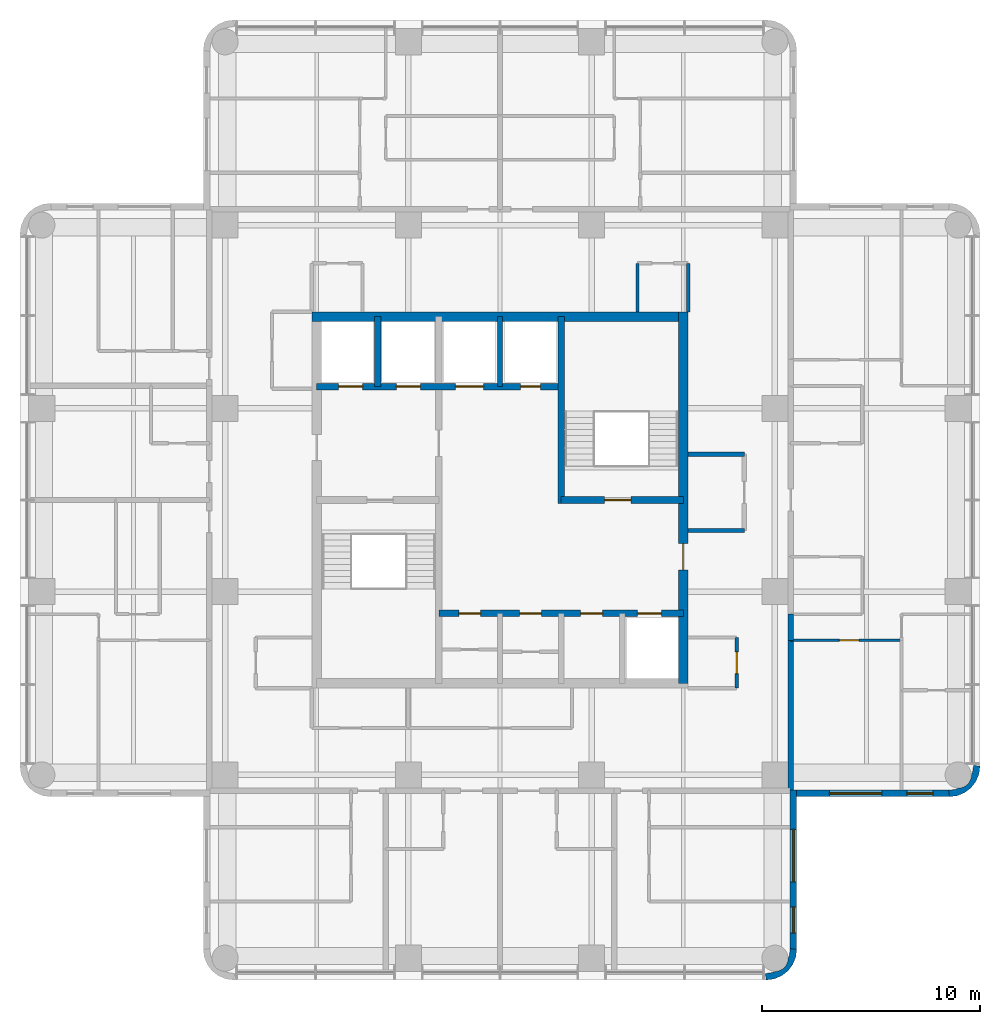
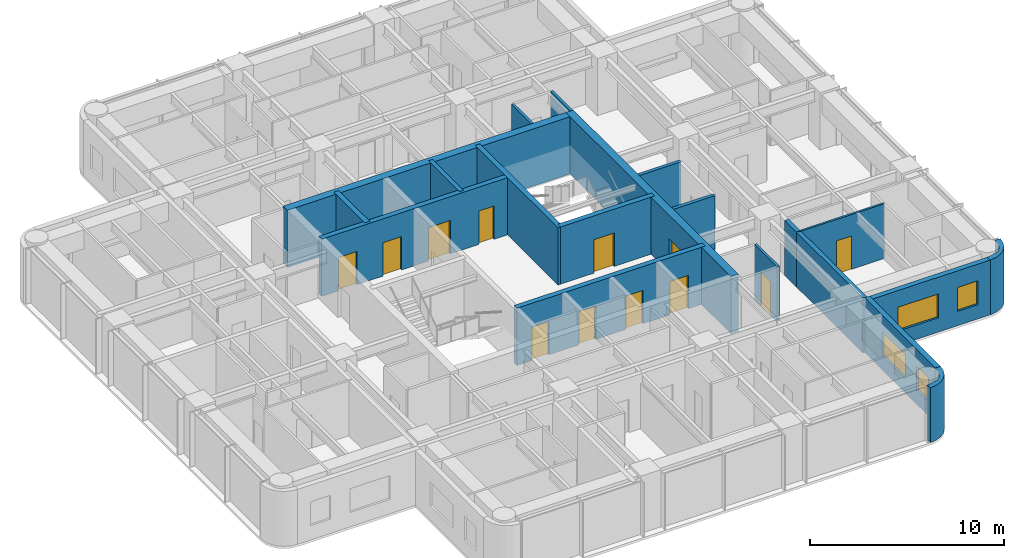
# One storey, part 6 of 10: 20 walls, 12 doors, 4 windows, 16 openings.
"""IFC4 building model written with IfcOpenShell, lengths in metres."""

from ifc_helpers import new_model, si_unit, direction, frame, frame_2d, origin, place, context, subcontext, project, spatial, polyline, rectangle, outline, extrude, material, layer, layer_set, type_object, element, fill, save


model = new_model("IFC4")

# Units and contexts
model_context = context("Model", 3, precision=1e-05, world=origin(), true_north=direction((0.0, 1.0)))
body_context = subcontext(model_context, "Body", "Model", "MODEL_VIEW")
ifc_project = project(units=[si_unit("LENGTHUNIT", "METRE"), si_unit("AREAUNIT", "SQUARE_METRE"), si_unit("VOLUMEUNIT", "CUBIC_METRE"), si_unit("PLANEANGLEUNIT", "RADIAN"), si_unit("MASSUNIT", "GRAM", prefix="KILO")], contexts=[model_context])

# Site, building, storey
site_placement = place(None, origin())
site = spatial("IfcSite", under=ifc_project, at=site_placement, CompositionType="ELEMENT")
building_placement = place(site_placement, origin())
building = spatial("IfcBuilding", under=site, at=building_placement, Name="Torre Alcanfor", CompositionType="ELEMENT")
storey_placement = place(building_placement, frame((0.0, 0.0, 282.89990234375)))
storey = spatial("IfcBuildingStorey", under=building, at=storey_placement, Name="L74", CompositionType="ELEMENT", Elevation=282.89990234375)

# Walls
ifc_material_1 = material(Name="Concrete block masonry, hollow blocks NMX-C-404 9 MPa", Category="masonry")
ifc_layer_1 = layer(ifc_material_1, 0.25)
ifc_layer_set_1 = layer_set([ifc_layer_1], Name="Apartment entrance wall 250 EI 60")
wall_type_1 = type_object("IfcWallType", Name="Apartment entrance wall 250 EI 60", PredefinedType="PARTITIONING", material=ifc_layer_set_1)
wall_1_placement = place(storey_placement, frame((42.72509765625, 24.1708984375, 0.0), z_axis=(0.0, 0.0, 1.0), x_axis=(0.0, -1.0, 0.0)))
element("IfcWall", 1, at=wall_1_placement, inside=storey, type_object=wall_type_1, Name="Partition L74-CORR / L74-EX-LIVING", PredefinedType="PARTITIONING", context=body_context, shape_type="SweptSolid", body=[
    extrude(rectangle(XDim=1.199951171875, YDim=0.25, at=frame_2d((0.60009765625, 0.0))), origin(), (0.0, 0.0, 1.0), 3.4501953125),
])
wall_2_placement = place(storey_placement, frame((42.72509765625, 22.970947265625, 0.0), z_axis=(0.0, 0.0, 1.0), x_axis=(0.0, -1.0, 0.0)))
element("IfcWall", 2, at=wall_2_placement, inside=storey, type_object=wall_type_1, Name="Partition L74-CORR / L74-EX-BED3", PredefinedType="PARTITIONING", context=body_context, shape_type="SweptSolid", body=[
    extrude(rectangle(XDim=6.870849609375, YDim=0.25, at=frame_2d((3.435546875, 0.0))), origin(), (0.0, 0.0, 1.0), 3.4501953125),
])

# Wall, opening, door
ifc_material_2 = material(Name="Gypsum board on steel studs", Category="steel")
ifc_layer_2 = layer(ifc_material_2, 0.1201171875)
ifc_layer_set_2 = layer_set([ifc_layer_2], Name="Apartment partition 120")
wall_type_2 = type_object("IfcWallType", Name="Apartment partition 120", PredefinedType="PARTITIONING", material=ifc_layer_set_2)
wall_3_placement = place(storey_placement, frame((47.800048828125, 22.970947265625, 0.0), z_axis=(0.0, 0.0, 1.0), x_axis=(-1.0, 0.0, 0.0)))
wall_3 = element("IfcWall", 3, at=wall_3_placement, inside=storey, type_object=wall_type_2, Name="Partition L74-EX-LIVING / L74-EX-BED3", PredefinedType="PARTITIONING", context=body_context, shape_type="SweptSolid", body=[
    extrude(rectangle(XDim=5.074951171875, YDim=0.1201171875, at=frame_2d((2.53759765625, 0.0))), origin(), (0.0, 0.0, 1.0), 3.4501953125),
])
opening_1_placement = place(wall_3_placement, frame((1.949951171875, 0.0, 0.0)))
opening_1 = element("IfcOpeningElement", 4, at=opening_1_placement, cuts=wall_3, Name="Opening D-R1", PredefinedType="OPENING", context=body_context, shape_type="SweptSolid", body=[
    extrude(rectangle(XDim=0.89990234375, YDim=2.10009765625, at=frame_2d((0.449951171875, 1.050048828125))), frame((0.0, 0.070068359375, 0.0), z_axis=(0.0, -1.0, 0.0), x_axis=(1.0, 0.0, 0.0)), (0.0, 0.0, 1.0), 0.14013671875),
])
ifc_material_3 = material(Name="Timber", Category="wood")
door_type_1 = type_object("IfcDoorType", Name="Internal door 900x2100", OperationType="SINGLE_SWING_LEFT", PredefinedType="DOOR", material=ifc_material_3)
door_1_placement = place(opening_1_placement, origin())
door_1 = element("IfcDoor", 5, at=door_1_placement, inside=storey, type_object=door_type_1, Name="Door L74-EX bed3", OperationType="SINGLE_SWING_LEFT", OverallHeight=2.10009765625, OverallWidth=0.89990234375, PredefinedType="DOOR", context=body_context, shape_type="SweptSolid", body=[
    extrude(rectangle(XDim=0.89990234375, YDim=2.10009765625, at=frame_2d((0.449951171875, 1.050048828125))), frame((0.0, 0.02490234375, 0.0), z_axis=(0.0, -1.0, 0.0), x_axis=(1.0, 0.0, 0.0)), (0.0, 0.0, 1.0), 0.050048828125),
])
fill(opening_1, door_1)

# Wall, openings, doors
ifc_material_4 = material(Name="Concrete f'c 70 MPa", Category="concrete")
ifc_layer_3 = layer(ifc_material_4, 0.300048828125)
ifc_layer_set_3 = layer_set([ifc_layer_3], Name="Core inner wall 300 f'c70")
wall_type_3 = type_object("IfcWallType", Name="Core inner wall 300 f'c70", PredefinedType="SHEAR", material=ifc_layer_set_3)
wall_4_placement = place(storey_placement, frame((21.0, 34.60009765625, 0.0), z_axis=(0.0, 0.0, 1.0), x_axis=(1.0, 0.0, 0.0)))
wall_4 = element("IfcWall", 6, at=wall_4_placement, inside=storey, type_object=wall_type_3, Name="Core wall Y346 L74", PredefinedType="SHEAR", context=body_context, shape_type="SweptSolid", body=[
    extrude(rectangle(XDim=11.199951171875, YDim=0.300048828125, at=frame_2d((5.60009765625, 0.0))), origin(), (0.0, 0.0, 1.0), 3.60009765625),
])
opening_2_placement = place(wall_4_placement, frame((9.35009765625, 0.0, 0.0)))
opening_2 = element("IfcOpeningElement", 7, at=opening_2_placement, cuts=wall_4, Name="Opening D-Q1", PredefinedType="OPENING", context=body_context, shape_type="SweptSolid", body=[
    extrude(rectangle(XDim=0.89990234375, YDim=2.10009765625, at=frame_2d((0.449951171875, 1.050048828125))), frame((0.0, 0.159912109375, 0.0), z_axis=(0.0, -1.0, 0.0), x_axis=(1.0, 0.0, 0.0)), (0.0, 0.0, 1.0), 0.320068359375),
])
opening_3_placement = place(wall_4_placement, frame((1.0, 0.0, 0.0)))
opening_3 = element("IfcOpeningElement", 8, at=opening_3_placement, cuts=wall_4, Name="Opening LD2", PredefinedType="OPENING", context=body_context, shape_type="SweptSolid", body=[
    extrude(rectangle(XDim=1.10009765625, YDim=2.10009765625, at=frame_2d((0.550048828125, 1.050048828125))), frame((0.0, 0.159912109375, 0.0), z_axis=(0.0, -1.0, 0.0), x_axis=(1.0, 0.0, 0.0)), (0.0, 0.0, 1.0), 0.320068359375),
])
opening_4_placement = place(wall_4_placement, frame((3.64990234375, 0.0, 0.0)))
opening_4 = element("IfcOpeningElement", 9, at=opening_4_placement, cuts=wall_4, Name="Opening LD2", PredefinedType="OPENING", context=body_context, shape_type="SweptSolid", body=[
    extrude(rectangle(XDim=1.10009765625, YDim=2.10009765625, at=frame_2d((0.550048828125, 1.050048828125))), frame((0.0, 0.159912109375, 0.0), z_axis=(0.0, -1.0, 0.0), x_axis=(1.0, 0.0, 0.0)), (0.0, 0.0, 1.0), 0.320068359375),
])
opening_5_placement = place(wall_4_placement, frame((6.35009765625, 0.0, 0.0)))
opening_5 = element("IfcOpeningElement", 10, at=opening_5_placement, cuts=wall_4, Name="Opening LD3", PredefinedType="OPENING", context=body_context, shape_type="SweptSolid", body=[
    extrude(rectangle(XDim=1.300048828125, YDim=2.10009765625, at=frame_2d((0.64990234375, 1.050048828125))), frame((0.0, 0.159912109375, 0.0), z_axis=(0.0, -1.0, 0.0), x_axis=(1.0, 0.0, 0.0)), (0.0, 0.0, 1.0), 0.320068359375),
])
ifc_material_5 = material(Name="Galvanised steel sheet ASTM A653", Category="steel")
door_type_2 = type_object("IfcDoorType", Name="Firefighting lift landing door 1100x2100", OperationType="DOUBLE_DOOR_SLIDING", PredefinedType="DOOR", material=ifc_material_5)
door_2_placement = place(opening_3_placement, origin())
door_2 = element("IfcDoor", 11, at=door_2_placement, inside=storey, type_object=door_type_2, Name="Lift landing door FL1 L74", OperationType="DOUBLE_DOOR_SLIDING", OverallHeight=2.10009765625, OverallWidth=1.10009765625, PredefinedType="DOOR", context=body_context, shape_type="SweptSolid", body=[
    extrude(rectangle(XDim=1.10009765625, YDim=2.10009765625, at=frame_2d((0.550048828125, 1.050048828125))), frame((0.0, 0.02490234375, 0.0), z_axis=(0.0, -1.0, 0.0), x_axis=(1.0, 0.0, 0.0)), (0.0, 0.0, 1.0), 0.050048828125),
])
fill(opening_3, door_2)
door_3_placement = place(opening_4_placement, origin())
door_3 = element("IfcDoor", 12, at=door_3_placement, inside=storey, type_object=door_type_2, Name="Lift landing door FL2 L74", OperationType="DOUBLE_DOOR_SLIDING", OverallHeight=2.10009765625, OverallWidth=1.10009765625, PredefinedType="DOOR", context=body_context, shape_type="SweptSolid", body=[
    extrude(rectangle(XDim=1.10009765625, YDim=2.10009765625, at=frame_2d((0.550048828125, 1.050048828125))), frame((0.0, 0.02490234375, 0.0), z_axis=(0.0, -1.0, 0.0), x_axis=(1.0, 0.0, 0.0)), (0.0, 0.0, 1.0), 0.050048828125),
])
fill(opening_4, door_3)
ifc_material_6 = material(Name="Galvanised steel sheet ASTM A653", Category="steel")
door_type_3 = type_object("IfcDoorType", Name="Riser access door FD120 900x2100", OperationType="SINGLE_SWING_LEFT", PredefinedType="DOOR", material=ifc_material_6)
door_4_placement = place(opening_2_placement, origin())
door_4 = element("IfcDoor", 13, at=door_4_placement, inside=storey, type_object=door_type_3, Name="Riser door L74", OperationType="SINGLE_SWING_LEFT", OverallHeight=2.10009765625, OverallWidth=0.89990234375, PredefinedType="DOOR", context=body_context, shape_type="SweptSolid", body=[
    extrude(rectangle(XDim=0.89990234375, YDim=2.10009765625, at=frame_2d((0.449951171875, 1.050048828125))), frame((0.0, 0.02490234375, 0.0), z_axis=(0.0, -1.0, 0.0), x_axis=(1.0, 0.0, 0.0)), (0.0, 0.0, 1.0), 0.050048828125),
])
fill(opening_2, door_4)
ifc_material_7 = material(Name="Galvanised steel sheet ASTM A653", Category="steel")
door_type_4 = type_object("IfcDoorType", Name="Service lift landing door 1300x2100", OperationType="DOUBLE_DOOR_SLIDING", PredefinedType="DOOR", material=ifc_material_7)
door_5_placement = place(opening_5_placement, origin())
door_5 = element("IfcDoor", 14, at=door_5_placement, inside=storey, type_object=door_type_4, Name="Lift landing door SL1 L74", OperationType="DOUBLE_DOOR_SLIDING", OverallHeight=2.10009765625, OverallWidth=1.300048828125, PredefinedType="DOOR", context=body_context, shape_type="SweptSolid", body=[
    extrude(rectangle(XDim=1.300048828125, YDim=2.10009765625, at=frame_2d((0.64990234375, 1.050048828125))), frame((0.0, 0.02490234375, 0.0), z_axis=(0.0, -1.0, 0.0), x_axis=(1.0, 0.0, 0.0)), (0.0, 0.0, 1.0), 0.050048828125),
])
fill(opening_5, door_5)

# Wall
wall_5_placement = place(storey_placement, frame((23.800048828125, 34.60009765625, 0.0), z_axis=(0.0, 0.0, 1.0), x_axis=(0.0, 1.0, 0.0)))
element("IfcWall", 15, at=wall_5_placement, inside=storey, type_object=wall_type_3, Name="Core wall X238 L74", PredefinedType="SHEAR", context=body_context, shape_type="SweptSolid", body=[
    extrude(rectangle(XDim=3.199951171875, YDim=0.300048828125, at=frame_2d((1.60009765625, 0.0))), origin(), (0.0, 0.0, 1.0), 3.60009765625),
])

# Wall, openings, doors
wall_6_placement = place(storey_placement, frame((26.60009765625, 24.199951171875, 0.0), z_axis=(0.0, 0.0, 1.0), x_axis=(1.0, 0.0, 0.0)))
wall_6 = element("IfcWall", 16, at=wall_6_placement, inside=storey, type_object=wall_type_3, Name="Core wall Y242 L74", PredefinedType="SHEAR", context=body_context, shape_type="SweptSolid", body=[
    extrude(rectangle(XDim=11.199951171875, YDim=0.300048828125, at=frame_2d((5.60009765625, 0.0))), origin(), (0.0, 0.0, 1.0), 3.60009765625),
])
opening_6_placement = place(wall_6_placement, frame((0.91259765625, 0.0, 0.0)))
opening_6 = element("IfcOpeningElement", 17, at=opening_6_placement, cuts=wall_6, Name="Opening D-K1", PredefinedType="OPENING", context=body_context, shape_type="SweptSolid", body=[
    extrude(rectangle(XDim=1.0, YDim=2.10009765625, at=frame_2d((0.5, 1.050048828125))), frame((0.0, 0.159912109375, 0.0), z_axis=(0.0, -1.0, 0.0), x_axis=(1.0, 0.0, 0.0)), (0.0, 0.0, 1.0), 0.320068359375),
])
opening_7_placement = place(wall_6_placement, frame((3.699951171875, 0.0, 0.0)))
opening_7 = element("IfcOpeningElement", 18, at=opening_7_placement, cuts=wall_6, Name="Opening D-K1", PredefinedType="OPENING", context=body_context, shape_type="SweptSolid", body=[
    extrude(rectangle(XDim=1.0, YDim=2.10009765625, at=frame_2d((0.5, 1.050048828125))), frame((0.0, 0.159912109375, 0.0), z_axis=(0.0, -1.0, 0.0), x_axis=(1.0, 0.0, 0.0)), (0.0, 0.0, 1.0), 0.320068359375),
])
opening_8_placement = place(wall_6_placement, frame((6.5, 0.0, 0.0)))
opening_8 = element("IfcOpeningElement", 19, at=opening_8_placement, cuts=wall_6, Name="Opening D-K1", PredefinedType="OPENING", context=body_context, shape_type="SweptSolid", body=[
    extrude(rectangle(XDim=1.0, YDim=2.10009765625, at=frame_2d((0.5, 1.050048828125))), frame((0.0, 0.159912109375, 0.0), z_axis=(0.0, -1.0, 0.0), x_axis=(1.0, 0.0, 0.0)), (0.0, 0.0, 1.0), 0.320068359375),
])
opening_9_placement = place(wall_6_placement, frame((9.10009765625, 0.0, 0.0)))
opening_9 = element("IfcOpeningElement", 20, at=opening_9_placement, cuts=wall_6, Name="Opening LD1", PredefinedType="OPENING", context=body_context, shape_type="SweptSolid", body=[
    extrude(rectangle(XDim=1.10009765625, YDim=2.10009765625, at=frame_2d((0.550048828125, 1.050048828125))), frame((0.0, 0.159912109375, 0.0), z_axis=(0.0, -1.0, 0.0), x_axis=(1.0, 0.0, 0.0)), (0.0, 0.0, 1.0), 0.320068359375),
])
ifc_material_8 = material(Name="Galvanised steel sheet ASTM A653", Category="steel")
door_type_5 = type_object("IfcDoorType", Name="Core room door FD60 1000x2100", OperationType="SINGLE_SWING_LEFT", PredefinedType="DOOR", material=ifc_material_8)
door_6_placement = place(opening_6_placement, frame((1.0, 0.0, 0.0), z_axis=(0.0, 0.0, 1.0), x_axis=(-1.0, 0.0, 0.0)))
door_6 = element("IfcDoor", 21, at=door_6_placement, inside=storey, type_object=door_type_5, Name="Residents' storage door L74", OperationType="SINGLE_SWING_RIGHT", OverallHeight=2.10009765625, OverallWidth=1.0, PredefinedType="DOOR", context=body_context, shape_type="SweptSolid", body=[
    extrude(rectangle(XDim=1.0, YDim=2.10009765625, at=frame_2d((0.5, 1.050048828125))), frame((0.0, 0.025146484375, 0.0), z_axis=(0.0, -1.0, 0.0), x_axis=(1.0, 0.0, 0.0)), (0.0, 0.0, 1.0), 0.050048828125),
])
fill(opening_6, door_6)
door_7_placement = place(opening_7_placement, frame((1.0, 0.0, 0.0), z_axis=(0.0, 0.0, 1.0), x_axis=(-1.0, 0.0, 0.0)))
door_7 = element("IfcDoor", 22, at=door_7_placement, inside=storey, type_object=door_type_5, Name="Pantry door L74", OperationType="SINGLE_SWING_RIGHT", OverallHeight=2.10009765625, OverallWidth=1.0, PredefinedType="DOOR", context=body_context, shape_type="SweptSolid", body=[
    extrude(rectangle(XDim=1.0, YDim=2.10009765625, at=frame_2d((0.5, 1.050048828125))), frame((0.0, 0.025146484375, 0.0), z_axis=(0.0, -1.0, 0.0), x_axis=(1.0, 0.0, 0.0)), (0.0, 0.0, 1.0), 0.050048828125),
])
fill(opening_7, door_7)
door_8_placement = place(opening_8_placement, frame((1.0, 0.0, 0.0), z_axis=(0.0, 0.0, 1.0), x_axis=(-1.0, 0.0, 0.0)))
door_8 = element("IfcDoor", 23, at=door_8_placement, inside=storey, type_object=door_type_5, Name="Housekeeping store door L74", OperationType="SINGLE_SWING_RIGHT", OverallHeight=2.10009765625, OverallWidth=1.0, PredefinedType="DOOR", context=body_context, shape_type="SweptSolid", body=[
    extrude(rectangle(XDim=1.0, YDim=2.10009765625, at=frame_2d((0.5, 1.050048828125))), frame((0.0, 0.025146484375, 0.0), z_axis=(0.0, -1.0, 0.0), x_axis=(1.0, 0.0, 0.0)), (0.0, 0.0, 1.0), 0.050048828125),
])
fill(opening_8, door_8)
ifc_material_9 = material(Name="Galvanised steel sheet ASTM A653", Category="steel")
door_type_6 = type_object("IfcDoorType", Name="Lift landing door 1100x2100", OperationType="DOUBLE_DOOR_SLIDING", PredefinedType="DOOR", material=ifc_material_9)
door_9_placement = place(opening_9_placement, origin())
door_9 = element("IfcDoor", 24, at=door_9_placement, inside=storey, type_object=door_type_6, Name="Lift landing door PA4 L74", OperationType="DOUBLE_DOOR_SLIDING", OverallHeight=2.10009765625, OverallWidth=1.10009765625, PredefinedType="DOOR", context=body_context, shape_type="SweptSolid", body=[
    extrude(rectangle(XDim=1.10009765625, YDim=2.10009765625, at=frame_2d((0.550048828125, 1.050048828125))), frame((0.0, 0.02490234375, 0.0), z_axis=(0.0, -1.0, 0.0), x_axis=(1.0, 0.0, 0.0)), (0.0, 0.0, 1.0), 0.050048828125),
])
fill(opening_9, door_9)

# Wall
wall_7_placement = place(storey_placement, frame((32.199951171875, 29.25, 0.0), z_axis=(0.0, 0.0, 1.0), x_axis=(0.0, 1.0, 0.0)))
element("IfcWall", 25, at=wall_7_placement, inside=storey, type_object=wall_type_3, Name="Core wall X322N L74", PredefinedType="SHEAR", context=body_context, shape_type="SweptSolid", body=[
    extrude(rectangle(XDim=8.550048828125, YDim=0.300048828125, at=frame_2d((4.27490234375, 0.0))), origin(), (0.0, 0.0, 1.0), 3.60009765625),
])

# Wall, opening, door
wall_8_placement = place(storey_placement, frame((32.199951171875, 29.39990234375, 0.0), z_axis=(0.0, 0.0, 1.0), x_axis=(1.0, 0.0, 0.0)))
wall_8 = element("IfcWall", 26, at=wall_8_placement, inside=storey, type_object=wall_type_3, Name="Core wall Y294E L74", PredefinedType="SHEAR", context=body_context, shape_type="SweptSolid", body=[
    extrude(rectangle(XDim=5.60009765625, YDim=0.300048828125, at=frame_2d((2.800048828125, 0.0))), origin(), (0.0, 0.0, 1.0), 3.60009765625),
])
opening_10_placement = place(wall_8_placement, frame((2.0, 0.0, 0.0)))
opening_10 = element("IfcOpeningElement", 27, at=opening_10_placement, cuts=wall_8, Name="Opening D-S2", PredefinedType="OPENING", context=body_context, shape_type="SweptSolid", body=[
    extrude(rectangle(XDim=1.199951171875, YDim=2.10009765625, at=frame_2d((0.60009765625, 1.050048828125))), frame((0.0, 0.159912109375, 0.0), z_axis=(0.0, -1.0, 0.0), x_axis=(1.0, 0.0, 0.0)), (0.0, 0.0, 1.0), 0.320068359375),
])
ifc_material_10 = material(Name="Galvanised steel sheet ASTM A653", Category="steel")
door_type_7 = type_object("IfcDoorType", Name="Stair enclosure door FD120 1200x2100", OperationType="SINGLE_SWING_LEFT", PredefinedType="DOOR", material=ifc_material_10)
door_10_placement = place(opening_10_placement, origin())
door_10 = element("IfcDoor", 28, at=door_10_placement, inside=storey, type_object=door_type_7, Name="Stair S2 door L74", OperationType="SINGLE_SWING_LEFT", OverallHeight=2.10009765625, OverallWidth=1.199951171875, PredefinedType="DOOR", context=body_context, shape_type="SweptSolid", body=[
    extrude(rectangle(XDim=1.199951171875, YDim=2.10009765625, at=frame_2d((0.60009765625, 1.050048828125))), frame((0.0, 0.02490234375, 0.0), z_axis=(0.0, -1.0, 0.0), x_axis=(1.0, 0.0, 0.0)), (0.0, 0.0, 1.0), 0.050048828125),
])
fill(opening_10, door_10)

# Wall
ifc_material_11 = material(Name="Concrete f'c 70 MPa", Category="concrete")
ifc_layer_4 = layer(ifc_material_11, 0.25)
ifc_layer_set_4 = layer_set([ifc_layer_4], Name="Core shaft wall 250 f'c70")
wall_type_4 = type_object("IfcWallType", Name="Core shaft wall 250 f'c70", PredefinedType="SHEAR", material=ifc_layer_set_4)
wall_9_placement = place(storey_placement, frame((29.39990234375, 34.60009765625, 0.0), z_axis=(0.0, 0.0, 1.0), x_axis=(0.0, 1.0, 0.0)))
element("IfcWall", 29, at=wall_9_placement, inside=storey, type_object=wall_type_4, Name="Core wall X294N L74", PredefinedType="SHEAR", context=body_context, shape_type="SweptSolid", body=[
    extrude(rectangle(XDim=3.199951171875, YDim=0.25, at=frame_2d((1.60009765625, 0.0))), origin(), (0.0, 0.0, 1.0), 3.60009765625),
])

# Wall, opening, door
ifc_material_12 = material(Name="Concrete f'c 70 MPa", Category="concrete")
ifc_layer_5 = layer(ifc_material_12, 0.449951171875)
ifc_layer_set_5 = layer_set([ifc_layer_5], Name="Core wall 450 f'c70")
wall_type_5 = type_object("IfcWallType", Name="Core wall 450 f'c70", PredefinedType="SHEAR", material=ifc_layer_set_5)
wall_10_placement = place(storey_placement, frame((37.800048828125, 21.0, 0.0), z_axis=(0.0, 0.0, 1.0), x_axis=(0.0, 1.0, 0.0)))
wall_10 = element("IfcWall", 30, at=wall_10_placement, inside=storey, type_object=wall_type_5, Name="Core wall OUT-E L74", PredefinedType="SHEAR", context=body_context, shape_type="SweptSolid", body=[
    extrude(rectangle(XDim=17.02490234375, YDim=0.449951171875, at=frame_2d((8.512451171875, 0.0))), origin(), (0.0, 0.0, 1.0), 3.60009765625),
])
opening_11_placement = place(wall_10_placement, frame((5.199951171875, 0.0, 0.0)))
opening_11 = element("IfcOpeningElement", 31, at=opening_11_placement, cuts=wall_10, Name="Opening D-L1", PredefinedType="OPENING", context=body_context, shape_type="SweptSolid", body=[
    extrude(rectangle(XDim=1.199951171875, YDim=2.10009765625, at=frame_2d((0.60009765625, 1.050048828125))), frame((0.0, 0.23486328125, 0.0), z_axis=(0.0, -1.0, 0.0), x_axis=(1.0, 0.0, 0.0)), (0.0, 0.0, 1.0), 0.469970703125),
])
ifc_material_13 = material(Name="Galvanised steel sheet ASTM A653", Category="steel")
door_type_8 = type_object("IfcDoorType", Name="Lobby door FD120 1200x2100", OperationType="SINGLE_SWING_LEFT", PredefinedType="DOOR", material=ifc_material_13)
door_11_placement = place(opening_11_placement, origin())
door_11 = element("IfcDoor", 32, at=door_11_placement, inside=storey, type_object=door_type_8, Name="Lift lobby entrance door L74", OperationType="SINGLE_SWING_LEFT", OverallHeight=2.10009765625, OverallWidth=1.199951171875, PredefinedType="DOOR", context=body_context, shape_type="SweptSolid", body=[
    extrude(rectangle(XDim=1.199951171875, YDim=2.10009765625, at=frame_2d((0.60009765625, 1.050048828125))), frame((0.0, 0.02490234375, 0.0), z_axis=(0.0, -1.0, 0.0), x_axis=(1.0, 0.0, 0.0)), (0.0, 0.0, 1.0), 0.050048828125),
])
fill(opening_11, door_11)

# Wall
wall_11_placement = place(storey_placement, frame((37.800048828125, 37.800048828125, 0.0), z_axis=(0.0, 0.0, 1.0), x_axis=(-1.0, 0.0, 0.0)))
element("IfcWall", 33, at=wall_11_placement, inside=storey, type_object=wall_type_5, Name="Core wall OUT-N L74", PredefinedType="SHEAR", context=body_context, shape_type="SweptSolid", body=[
    extrude(rectangle(XDim=17.025146484375, YDim=0.449951171875, at=frame_2d((8.5126953125, 0.0))), origin(), (0.0, 0.0, 1.0), 3.60009765625),
])

# Wall, openings, windows
ifc_material_14 = material(Name="Limestone cladding", Category="masonry")
ifc_layer_6 = layer(ifc_material_14, 0.0400390625, Name="Facing")
ifc_material_15 = material(Name="Ventilated air cavity")
ifc_layer_7 = layer(ifc_material_15, 0.02001953125, ventilated=True, Name="Ventilated joint")
ifc_material_16 = material(Name="Mineral wool insulation", Category="insulation")
ifc_layer_8 = layer(ifc_material_16, 0.10009765625, Name="Insulation")
ifc_material_17 = material(Name="Concrete f'c 35 MPa", Category="concrete")
ifc_layer_9 = layer(ifc_material_17, 0.139892578125, Name="Backing")
ifc_layer_set_6 = layer_set([ifc_layer_6, ifc_layer_7, ifc_layer_8, ifc_layer_9], Name="External wall stone-clad 300")
wall_type_6 = type_object("IfcWallType", Name="External wall stone-clad 300", PredefinedType="SOLIDWALL", material=ifc_layer_set_6)
wall_12_placement = place(storey_placement, frame((42.85009765625, 8.800048828125, 0.0), z_axis=(0.0, 0.0, 1.0), x_axis=(0.0, 1.0, 0.0)))
wall_12 = element("IfcWall", 34, at=wall_12_placement, inside=storey, type_object=wall_type_6, Name="External wall L74 6", PredefinedType="SOLIDWALL", context=body_context, shape_type="SweptSolid", body=[
    extrude(rectangle(XDim=7.300048828125, YDim=0.300048828125, at=frame_2d((3.64990234375, 0.0))), origin(), (0.0, 0.0, 1.0), 3.4501953125),
])
opening_12_placement = place(wall_12_placement, frame((3.10009765625, 0.0, 0.89990234375)))
opening_12 = element("IfcOpeningElement", 35, at=opening_12_placement, cuts=wall_12, Name="Opening W1", PredefinedType="OPENING", context=body_context, shape_type="SweptSolid", body=[
    extrude(rectangle(XDim=2.39990234375, YDim=1.5, at=frame_2d((1.199951171875, 0.75))), frame((0.0, 0.159912109375, 0.0), z_axis=(0.0, -1.0, 0.0), x_axis=(1.0, 0.0, 0.0)), (0.0, 0.0, 1.0), 0.320068359375),
])
opening_13_placement = place(wall_12_placement, frame((0.75, 0.0, 0.89990234375)))
opening_13 = element("IfcOpeningElement", 36, at=opening_13_placement, cuts=wall_12, Name="Opening W4", PredefinedType="OPENING", context=body_context, shape_type="SweptSolid", body=[
    extrude(rectangle(XDim=1.199951171875, YDim=1.5, at=frame_2d((0.60009765625, 0.75))), frame((0.0, 0.159912109375, 0.0), z_axis=(0.0, -1.0, 0.0), x_axis=(1.0, 0.0, 0.0)), (0.0, 0.0, 1.0), 0.320068359375),
])
ifc_material_18 = material(Name="Aluminium frame with clear double glazing", Category="aluminium")
window_type_1 = type_object("IfcWindowType", Name="Window bedroom 1200x1500", PartitioningType="SINGLE_PANEL", PredefinedType="WINDOW", material=ifc_material_18)
window_1_placement = place(opening_13_placement, origin())
window_1 = element("IfcWindow", 37, at=window_1_placement, inside=storey, type_object=window_type_1, Name="Window W4 L74-S1", OverallHeight=1.5, OverallWidth=1.199951171875, PartitioningType="SINGLE_PANEL", PredefinedType="WINDOW", context=body_context, shape_type="SweptSolid", body=[
    extrude(rectangle(XDim=1.199951171875, YDim=1.5, at=frame_2d((0.60009765625, 0.75))), frame((0.0, 0.030029296875, 0.0), z_axis=(0.0, -1.0, 0.0), x_axis=(1.0, 0.0, 0.0)), (0.0, 0.0, 1.0), 0.06005859375),
])
fill(opening_13, window_1)
ifc_material_19 = material(Name="Aluminium frame with clear double glazing", Category="aluminium")
window_type_2 = type_object("IfcWindowType", Name="Window bedroom 2400x1500", PartitioningType="SINGLE_PANEL", PredefinedType="WINDOW", material=ifc_material_19)
window_2_placement = place(opening_12_placement, origin())
window_2 = element("IfcWindow", 38, at=window_2_placement, inside=storey, type_object=window_type_2, Name="Window W1 L74-S1", OverallHeight=1.5, OverallWidth=2.39990234375, PartitioningType="SINGLE_PANEL", PredefinedType="WINDOW", context=body_context, shape_type="SweptSolid", body=[
    extrude(rectangle(XDim=2.39990234375, YDim=1.5, at=frame_2d((1.199951171875, 0.75))), frame((0.0, 0.030029296875, 0.0), z_axis=(0.0, -1.0, 0.0), x_axis=(1.0, 0.0, 0.0)), (0.0, 0.0, 1.0), 0.06005859375),
])
fill(opening_12, window_2)

wall_13_placement = place(storey_placement, frame((43.0, 15.949951171875, 0.0), z_axis=(0.0, 0.0, 1.0), x_axis=(1.0, 0.0, 0.0)))
wall_13 = element("IfcWall", 39, at=wall_13_placement, inside=storey, type_object=wall_type_6, Name="External wall L74 7", PredefinedType="SOLIDWALL", context=body_context, shape_type="SweptSolid", body=[
    extrude(rectangle(XDim=7.0, YDim=0.300048828125, at=frame_2d((3.5, 0.0))), origin(), (0.0, 0.0, 1.0), 3.4501953125),
])
opening_14_placement = place(wall_13_placement, frame((1.5, 0.0, 0.89990234375)))
opening_14 = element("IfcOpeningElement", 40, at=opening_14_placement, cuts=wall_13, Name="Opening W1", PredefinedType="OPENING", context=body_context, shape_type="SweptSolid", body=[
    extrude(rectangle(XDim=2.39990234375, YDim=1.5, at=frame_2d((1.199951171875, 0.75))), frame((0.0, 0.159912109375, 0.0), z_axis=(0.0, -1.0, 0.0), x_axis=(1.0, 0.0, 0.0)), (0.0, 0.0, 1.0), 0.320068359375),
])
opening_15_placement = place(wall_13_placement, frame((5.050048828125, 0.0, 0.89990234375)))
opening_15 = element("IfcOpeningElement", 41, at=opening_15_placement, cuts=wall_13, Name="Opening W4", PredefinedType="OPENING", context=body_context, shape_type="SweptSolid", body=[
    extrude(rectangle(XDim=1.199951171875, YDim=1.5, at=frame_2d((0.60009765625, 0.75))), frame((0.0, 0.159912109375, 0.0), z_axis=(0.0, -1.0, 0.0), x_axis=(1.0, 0.0, 0.0)), (0.0, 0.0, 1.0), 0.320068359375),
])
window_3_placement = place(opening_15_placement, origin())
window_3 = element("IfcWindow", 42, at=window_3_placement, inside=storey, type_object=window_type_1, Name="Window W4 L74-E2", OverallHeight=1.5, OverallWidth=1.199951171875, PartitioningType="SINGLE_PANEL", PredefinedType="WINDOW", context=body_context, shape_type="SweptSolid", body=[
    extrude(rectangle(XDim=1.199951171875, YDim=1.5, at=frame_2d((0.60009765625, 0.75))), frame((0.0, 0.030029296875, 0.0), z_axis=(0.0, -1.0, 0.0), x_axis=(1.0, 0.0, 0.0)), (0.0, 0.0, 1.0), 0.06005859375),
])
fill(opening_15, window_3)
window_4_placement = place(opening_14_placement, origin())
window_4 = element("IfcWindow", 43, at=window_4_placement, inside=storey, type_object=window_type_2, Name="Window W1 L74-E2", OverallHeight=1.5, OverallWidth=2.39990234375, PartitioningType="SINGLE_PANEL", PredefinedType="WINDOW", context=body_context, shape_type="SweptSolid", body=[
    extrude(rectangle(XDim=2.39990234375, YDim=1.5, at=frame_2d((1.199951171875, 0.75))), frame((0.0, 0.030029296875, 0.0), z_axis=(0.0, -1.0, 0.0), x_axis=(1.0, 0.0, 0.0)), (0.0, 0.0, 1.0), 0.06005859375),
])
fill(opening_14, window_4)

# Walls
ifc_material_20 = material(Name="Concrete block masonry, hollow blocks NMX-C-404 9 MPa", Category="masonry")
ifc_layer_10 = layer(ifc_material_20, 0.199951171875)
ifc_layer_set_7 = layer_set([ifc_layer_10], Name="Plant room wall 200 EI 60")
wall_type_7 = type_object("IfcWallType", Name="Plant room wall 200 EI 60", PredefinedType="PARTITIONING", material=ifc_layer_set_7)
for number, where, z_axis, x_axis, name in (
    (44, (38.02490234375, 28.0, 0.0), (0.0, 0.0, 1.0), (1.0, 0.0, 0.0), "Partition L74-CORR / L74-G04"),
    (45, (40.60009765625, 31.5, 0.0), (0.0, 0.0, 1.0), (-1.0, 0.0, 0.0), "Partition L74-CORR / L74-G04"),
):
    element("IfcWall", number, at=place(storey_placement, frame(where, z_axis=z_axis, x_axis=x_axis)), inside=storey, type_object=wall_type_7, Name=name, PredefinedType="PARTITIONING", context=body_context, shape_type="SweptSolid", body=[
        extrude(rectangle(XDim=2.5751953125, YDim=0.199951171875, at=frame_2d((1.28759765625, 0.0))), origin(), (0.0, 0.0, 1.0), 3.4501953125),
    ])
ifc_material_21 = material(Name="Concrete block masonry, hollow blocks NMX-C-404 9 MPa", Category="masonry")
ifc_layer_11 = layer(ifc_material_21, 0.14990234375)
ifc_layer_set_8 = layer_set([ifc_layer_11], Name="Residents' room partition 150")
wall_type_8 = type_object("IfcWallType", Name="Residents' room partition 150", PredefinedType="PARTITIONING", material=ifc_layer_set_8)
for number, where, z_axis, x_axis, name in (
    (46, (38.02490234375, 38.02490234375, 0.0), (0.0, 0.0, 1.0), (0.0, 1.0, 0.0), "Partition L74-CORR / L74-G02"),
    (47, (35.699951171875, 40.25, 0.0), (0.0, 0.0, 1.0), (0.0, -1.0, 0.0), "Partition L74-CORR / L74-G02"),
):
    element("IfcWall", number, at=place(storey_placement, frame(where, z_axis=z_axis, x_axis=x_axis)), inside=storey, type_object=wall_type_8, Name=name, PredefinedType="PARTITIONING", context=body_context, shape_type="SweptSolid", body=[
        extrude(rectangle(XDim=2.22509765625, YDim=0.14990234375, at=frame_2d((1.112548828125, 0.0))), origin(), (0.0, 0.0, 1.0), 3.4501953125),
    ])

# Wall, opening, door
wall_14_placement = place(storey_placement, frame((40.25, 20.77490234375, 0.0), z_axis=(0.0, 0.0, 1.0), x_axis=(0.0, 1.0, 0.0)))
wall_14 = element("IfcWall", 48, at=wall_14_placement, inside=storey, type_object=wall_type_8, Name="Partition L74-CORR / L74-G03", PredefinedType="PARTITIONING", context=body_context, shape_type="SweptSolid", body=[
    extrude(rectangle(XDim=2.3251953125, YDim=0.14990234375, at=frame_2d((1.16259765625, 0.0))), origin(), (0.0, 0.0, 1.0), 3.4501953125),
])
opening_16_placement = place(wall_14_placement, frame((0.66259765625, 0.0, 0.0)))
opening_16 = element("IfcOpeningElement", 49, at=opening_16_placement, cuts=wall_14, Name="Opening D-M1", PredefinedType="OPENING", context=body_context, shape_type="SweptSolid", body=[
    extrude(rectangle(XDim=1.0, YDim=2.10009765625, at=frame_2d((0.5, 1.050048828125))), frame((0.0, 0.0849609375, 0.0), z_axis=(0.0, -1.0, 0.0), x_axis=(1.0, 0.0, 0.0)), (0.0, 0.0, 1.0), 0.169921875),
])
ifc_material_22 = material(Name="Timber", Category="wood")
door_type_9 = type_object("IfcDoorType", Name="Residents' room door 1000x2100", OperationType="SINGLE_SWING_LEFT", PredefinedType="DOOR", material=ifc_material_22)
door_12_placement = place(opening_16_placement, origin())
door_12 = element("IfcDoor", 50, at=door_12_placement, inside=storey, type_object=door_type_9, Name="Door L74-G03 cleaners' store", OperationType="SINGLE_SWING_LEFT", OverallHeight=2.10009765625, OverallWidth=1.0, PredefinedType="DOOR", context=body_context, shape_type="SweptSolid", body=[
    extrude(rectangle(XDim=1.0, YDim=2.10009765625, at=frame_2d((0.5, 1.050048828125))), frame((0.0, 0.02490234375, 0.0), z_axis=(0.0, -1.0, 0.0), x_axis=(1.0, 0.0, 0.0)), (0.0, 0.0, 1.0), 0.050048828125),
])
fill(opening_16, door_12)

# Walls
ifc_layer_12 = layer(ifc_material_14, 0.0400390625, Name="Facing")
ifc_layer_13 = layer(ifc_material_15, 0.02001953125, ventilated=True, Name="Ventilated joint")
ifc_layer_14 = layer(ifc_material_16, 0.10009765625, Name="Insulation")
ifc_layer_15 = layer(ifc_material_17, 0.139892578125, Name="Backing")
ifc_layer_set_9 = layer_set([ifc_layer_12, ifc_layer_13, ifc_layer_14, ifc_layer_15], Name="Rounded corner pier stone-clad 300")
wall_type_9 = type_object("IfcWallType", Name="Rounded corner pier stone-clad 300", PredefinedType="SOLIDWALL", material=ifc_layer_set_9)
wall_15_placement = place(storey_placement, frame((41.638418254, 7.824101883, 0.0), z_axis=(0.0, 0.0, 1.0), x_axis=(0.707106781187, -0.707106781187, 0.0)))
element("IfcWall", 51, at=wall_15_placement, inside=storey, type_object=wall_type_9, Name="Corner pier L74 16", PredefinedType="SOLIDWALL", context=body_context, shape_type="SweptSolid", body=[
    extrude(outline(polyline([(0.0325517960828704, 1.468682453281438), (0.04670774238592146, 1.4545265069783868), (0.23297927971509252, 1.2116311844370118), (0.29219256729980597, 1.0692085539489986), (0.35796592756154294, 1.0034351936872616), (0.44946167805687254, 0.7824643245664655), (0.44946167805687254, 0.5431943053466035), (0.3577932940700423, 0.322396069717308), (0.2921925672998059, 0.2567953429470716), (0.23315191320659318, 0.1142000789675579), (0.046707742385921465, -0.12886787706531783), (0.03272442957437109, -0.14285118987686818), (0.2728576162517362, -0.3270511253080318), (0.4952095533045373, -0.03702685958698693), (0.6350426814200412, 0.3006442497882296), (0.6826895250742129, 0.6628293149565345), (0.635042681420041, 1.0253596471078406), (0.49520955330453736, 1.3630307564830573), (0.2726849827602357, 1.6528823887126016), (0.0325517960828704, 1.468682453281438)])), origin(), (0.0, 0.0, 1.0), 3.4501953125),
])
wall_16_placement = place(storey_placement, frame((50.038418254, 16.224101883, 0.0), z_axis=(0.0, 0.0, 1.0), x_axis=(0.707106781187, -0.707106781187, 0.0)))
element("IfcWall", 52, at=wall_16_placement, inside=storey, type_object=wall_type_9, Name="Corner pier L74 17", PredefinedType="SOLIDWALL", context=body_context, shape_type="SweptSolid", body=[
    extrude(outline(polyline([(0.046707742385922124, 1.454733667168189), (0.23315191320659384, 1.2116657111353133), (0.29219256729980647, 1.0690704471557995), (0.35796592756154344, 1.0032970868940625), (0.44928904456537255, 0.782498851264767), (0.44946167805687315, 0.5434014655364057), (0.3579659275615435, 0.3224305964156095), (0.2921925672998065, 0.25665723615387254), (0.2331519132065938, 0.11406197217435879), (0.046535108894421466, -0.1288333503670163), (0.032551796082871086, -0.14281666317856667), (0.2726849827602362, -0.3270165986097303), (0.495209553304538, -0.03716496638018607), (0.6350426814200417, 0.30050614299503053), (0.6826895250742134, 0.6630364751463366), (0.6350426814200417, 1.0252215403146416), (0.495209553304538, 1.3628926496898581), (0.27268498276023634, 1.6527442819194023), (0.032724429574371716, 1.4687169799797393), (0.046707742385922124, 1.454733667168189)])), origin(), (0.0, 0.0, 1.0), 3.4501953125),
])

save(model, "model.ifc")
